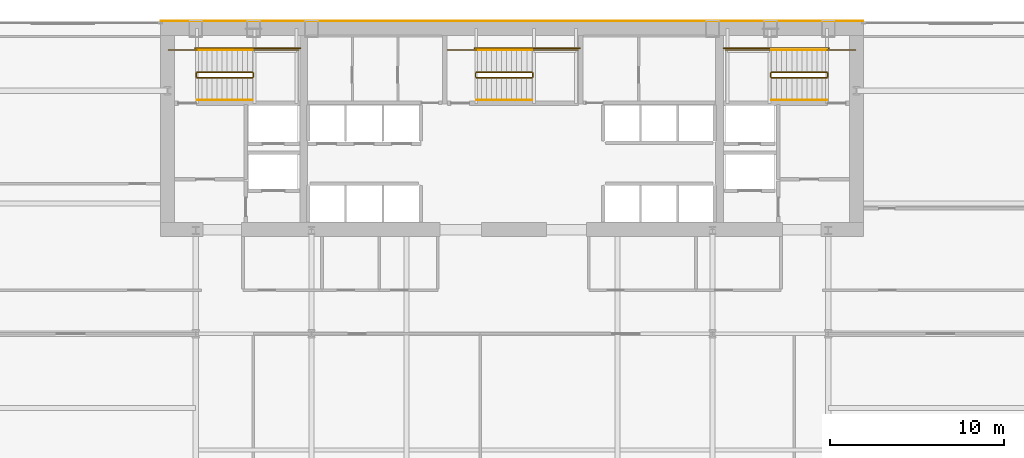
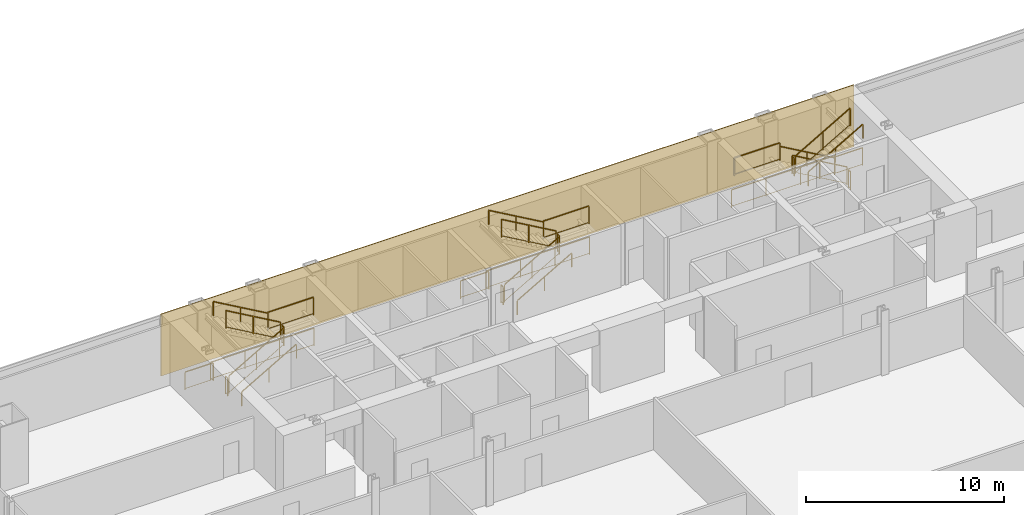
# One storey, part 36 of 36: 27 railings, 1 covering.
"""IFC4 building model written with IfcOpenShell, lengths in metres."""

from ifc_helpers import new_model, si_unit, direction, frame, origin, origin_2d, place, context, subcontext, project, spatial, polyline, rectangle, outline, extrude, material, layer, layer_set, type_object, element, save


model = new_model("IFC4")

# Units and contexts
model_context = context("Model", 3, precision=1e-05, world=origin(), true_north=direction((0.0, 1.0)))
body_context = subcontext(model_context, "Body", "Model", "MODEL_VIEW")
ifc_project = project(units=[si_unit("LENGTHUNIT", "METRE"), si_unit("AREAUNIT", "SQUARE_METRE"), si_unit("VOLUMEUNIT", "CUBIC_METRE"), si_unit("PLANEANGLEUNIT", "RADIAN"), si_unit("MASSUNIT", "GRAM", prefix="KILO")], contexts=[model_context])

# Site, building, storey
site_placement = place(None, origin())
site = spatial("IfcSite", under=ifc_project, at=site_placement, CompositionType="ELEMENT")
building_placement = place(site_placement, origin())
building = spatial("IfcBuilding", under=site, at=building_placement, Name="Khoronbel Lancet Exchange", CompositionType="ELEMENT")
storey_placement = place(building_placement, frame((0.0, 0.0, 57.800048828125)))
storey = spatial("IfcBuildingStorey", under=building, at=storey_placement, Name="L13", CompositionType="ELEMENT", Elevation=57.800048828125)

# Covering
ifc_material_1 = material(Name="Honed Egyptian Limestone & Bronze Rainscreen", Category="masonry")
ifc_layer = layer(ifc_material_1, 0.050048828125, Name="Honed Egyptian Limestone & Bronze Rainscreen")
ifc_layer_set = layer_set([ifc_layer], Name="Honed Egyptian Limestone & Bronze Rainscreen")
covering_type = type_object("IfcCoveringType", Name="COV-CLAD1", PredefinedType="CLADDING", material=ifc_layer_set)
covering_placement = place(storey_placement, origin())
element("IfcCovering", 1, at=covering_placement, inside=storey, type_object=covering_type, Name="Level L13 north rear-core stone and bronze rainscreen cladding", PredefinedType="CLADDING", context=body_context, shape_type="SweptSolid", body=[
    extrude(outline(polyline([(16.199951171875, 53.699951171875), (56.699951171875, 53.699951171875), (56.699951171875, 53.75), (16.199951171875, 53.75), (16.199951171875, 53.699951171875)])), origin(), (0.0, 0.0, 1.0), 3.820068359375),
])

# Railings
ifc_material_2 = material(Name="Painted Steel Balustrade", Category="steel")
railing_type_1 = type_object("IfcRailingType", Name="RL-STG110", PredefinedType="GUARDRAIL", material=ifc_material_2)
railing_1_placement = place(storey_placement, frame((18.300048828125, 50.449951171875, 0.16650390625)))
element("IfcRailing", 2, at=railing_1_placement, inside=storey, type_object=railing_type_1, Name="L13 ST1 stair guard 1", PredefinedType="GUARDRAIL", context=body_context, shape_type="SweptSolid", body=[
    extrude(rectangle(XDim=0.048095703125, YDim=0.048095703125, at=origin_2d()), frame((0.0, 0.0, 1.09619140625), z_axis=(0.86699087805, 0.0, 0.498324008431), x_axis=(0.0, 1.0, 0.0)), (0.0, 0.0, 1.0), 3.679443359375),
    extrude(rectangle(XDim=0.02392578125, YDim=0.02392578125, at=origin_2d()), frame((0.0, 0.0, 0.080078125), z_axis=(0.86699087805, 0.0, 0.498324008431), x_axis=(0.0, 1.0, 0.0)), (0.0, 0.0, 1.0), 3.679443359375),
    extrude(rectangle(XDim=0.0419921875, YDim=0.0419921875, at=origin_2d()), origin(), (0.0, 0.0, 1.0), 1.072021484375),
    extrude(rectangle(XDim=0.0419921875, YDim=0.0419921875, at=origin_2d()), frame((1.594970703125, 0.0, 0.916748046875)), (0.0, 0.0, 1.0), 1.072021484375),
    extrude(rectangle(XDim=0.0419921875, YDim=0.0419921875, at=origin_2d()), frame((3.18994140625, 0.0, 1.83349609375)), (0.0, 0.0, 1.0), 1.072021484375),
])
railing_2_placement = place(storey_placement, frame((21.5400390625, 50.5, 2.0)))
element("IfcRailing", 3, at=railing_2_placement, inside=storey, type_object=railing_type_1, Name="L13 ST1 stair guard 2", PredefinedType="GUARDRAIL", context=body_context, shape_type="SweptSolid", body=[
    extrude(rectangle(XDim=0.048095703125, YDim=0.048095703125, at=origin_2d()), frame((0.0, 0.0, 1.09619140625), z_axis=(0.0, 1.0, 0.0), x_axis=(-1.0, 0.0, 0.0)), (0.0, 0.0, 1.0), 0.219970703125),
    extrude(rectangle(XDim=0.02392578125, YDim=0.02392578125, at=origin_2d()), frame((0.0, 0.0, 0.080078125), z_axis=(0.0, 1.0, 0.0), x_axis=(-1.0, 0.0, 0.0)), (0.0, 0.0, 1.0), 0.219970703125),
    extrude(rectangle(XDim=0.0419921875, YDim=0.0419921875, at=origin_2d()), origin(), (0.0, 0.0, 1.0), 1.072021484375),
    extrude(rectangle(XDim=0.0419921875, YDim=0.0419921875, at=origin_2d()), frame((0.0, 0.219970703125, 0.0)), (0.0, 0.0, 1.0), 1.072021484375),
])
railing_3_placement = place(storey_placement, frame((21.489990234375, 52.050048828125, 2.0)))
element("IfcRailing", 4, at=railing_3_placement, inside=storey, type_object=railing_type_1, Name="L13 ST1 stair guard 3", PredefinedType="GUARDRAIL", context=body_context, shape_type="SweptSolid", body=[
    extrude(rectangle(XDim=0.048095703125, YDim=0.048095703125, at=origin_2d()), frame((0.0, 0.0, 1.09619140625), z_axis=(1.0, 0.0, 0.0), x_axis=(0.0, 1.0, 0.0)), (0.0, 0.0, 1.0), 2.659912109375),
    extrude(rectangle(XDim=0.02392578125, YDim=0.02392578125, at=origin_2d()), frame((0.0, 0.0, 0.080078125), z_axis=(1.0, 0.0, 0.0), x_axis=(0.0, 1.0, 0.0)), (0.0, 0.0, 1.0), 2.659912109375),
    extrude(rectangle(XDim=0.0419921875, YDim=0.0419921875, at=origin_2d()), origin(), (0.0, 0.0, 1.0), 1.072021484375),
    extrude(rectangle(XDim=0.0419921875, YDim=0.0419921875, at=origin_2d()), frame((2.659912109375, 0.0, 0.0)), (0.0, 0.0, 1.0), 1.072021484375),
])
railing_4_placement = place(storey_placement, frame((21.489990234375, 50.77001953125, 2.16650390625)))
element("IfcRailing", 5, at=railing_4_placement, inside=storey, type_object=railing_type_1, Name="L13 ST1 stair guard 4", PredefinedType="GUARDRAIL", context=body_context, shape_type="SweptSolid", body=[
    extrude(rectangle(XDim=0.048095703125, YDim=0.048095703125, at=origin_2d()), frame((0.0, 0.0, 1.09619140625), z_axis=(-0.86699087805, 0.0, 0.498324008431), x_axis=(0.0, -1.0, 0.0)), (0.0, 0.0, 1.0), 3.679443359375),
    extrude(rectangle(XDim=0.02392578125, YDim=0.02392578125, at=origin_2d()), frame((0.0, 0.0, 0.080078125), z_axis=(-0.86699087805, 0.0, 0.498324008431), x_axis=(0.0, -1.0, 0.0)), (0.0, 0.0, 1.0), 3.679443359375),
    extrude(rectangle(XDim=0.0419921875, YDim=0.0419921875, at=origin_2d()), origin(), (0.0, 0.0, 1.0), 1.072021484375),
    extrude(rectangle(XDim=0.0419921875, YDim=0.0419921875, at=origin_2d()), frame((-1.594970703125, 0.0, 0.916748046875)), (0.0, 0.0, 1.0), 1.072021484375),
    extrude(rectangle(XDim=0.0419921875, YDim=0.0419921875, at=origin_2d()), frame((-3.18994140625, 0.0, 1.83349609375)), (0.0, 0.0, 1.0), 1.072021484375),
])
railing_5_placement = place(storey_placement, frame((18.25, 50.5, 0.0)))
element("IfcRailing", 6, at=railing_5_placement, inside=storey, type_object=railing_type_1, Name="L13 ST1 stair guard 5", PredefinedType="GUARDRAIL", context=body_context, shape_type="SweptSolid", body=[
    extrude(rectangle(XDim=0.048095703125, YDim=0.048095703125, at=origin_2d()), frame((0.0, 0.0, 1.09619140625), z_axis=(0.0, 1.0, 0.0), x_axis=(-1.0, 0.0, 0.0)), (0.0, 0.0, 1.0), 0.219970703125),
    extrude(rectangle(XDim=0.02392578125, YDim=0.02392578125, at=origin_2d()), frame((0.0, 0.0, 0.080078125), z_axis=(0.0, 1.0, 0.0), x_axis=(-1.0, 0.0, 0.0)), (0.0, 0.0, 1.0), 0.219970703125),
    extrude(rectangle(XDim=0.0419921875, YDim=0.0419921875, at=origin_2d()), origin(), (0.0, 0.0, 1.0), 1.072021484375),
    extrude(rectangle(XDim=0.0419921875, YDim=0.0419921875, at=origin_2d()), frame((0.0, 0.219970703125, 0.0)), (0.0, 0.0, 1.0), 1.072021484375),
])
railing_6_placement = place(storey_placement, frame((16.64990234375, 52.050048828125, 0.0)))
element("IfcRailing", 7, at=railing_6_placement, inside=storey, type_object=railing_type_1, Name="L13 ST1 stair guard 6", PredefinedType="GUARDRAIL", context=body_context, shape_type="SweptSolid", body=[
    extrude(rectangle(XDim=0.048095703125, YDim=0.048095703125, at=origin_2d()), frame((0.0, 0.0, 1.09619140625), z_axis=(1.0, 0.0, 0.0), x_axis=(0.0, 1.0, 0.0)), (0.0, 0.0, 1.0), 1.650146484375),
    extrude(rectangle(XDim=0.02392578125, YDim=0.02392578125, at=origin_2d()), frame((0.0, 0.0, 0.080078125), z_axis=(1.0, 0.0, 0.0), x_axis=(0.0, 1.0, 0.0)), (0.0, 0.0, 1.0), 1.650146484375),
    extrude(rectangle(XDim=0.0419921875, YDim=0.0419921875, at=origin_2d()), origin(), (0.0, 0.0, 1.0), 1.072021484375),
    extrude(rectangle(XDim=0.0419921875, YDim=0.0419921875, at=origin_2d()), frame((1.650146484375, 0.0, 0.0)), (0.0, 0.0, 1.0), 1.072021484375),
])
railing_7_placement = place(storey_placement, frame((18.199951171875, 52.14990234375, 0.0)))
element("IfcRailing", 8, at=railing_7_placement, inside=storey, type_object=railing_type_1, Name="L13 ST1 stair guard 7", PredefinedType="GUARDRAIL", context=body_context, shape_type="SweptSolid", body=[
    extrude(rectangle(XDim=0.048095703125, YDim=0.048095703125, at=origin_2d()), frame((0.0, 0.0, 1.09619140625), z_axis=(1.0, 0.0, 0.0), x_axis=(0.0, 1.0, 0.0)), (0.0, 0.0, 1.0), 6.050048828125),
    extrude(rectangle(XDim=0.02392578125, YDim=0.02392578125, at=origin_2d()), frame((0.0, 0.0, 0.080078125), z_axis=(1.0, 0.0, 0.0), x_axis=(0.0, 1.0, 0.0)), (0.0, 0.0, 1.0), 6.050048828125),
    extrude(rectangle(XDim=0.0419921875, YDim=0.0419921875, at=origin_2d()), origin(), (0.0, 0.0, 1.0), 1.072021484375),
    extrude(rectangle(XDim=0.0419921875, YDim=0.0419921875, at=origin_2d()), frame((2.0166015625, 0.0, 0.0)), (0.0, 0.0, 1.0), 1.072021484375),
    extrude(rectangle(XDim=0.0419921875, YDim=0.0419921875, at=origin_2d()), frame((4.033447265625, 0.0, 0.0)), (0.0, 0.0, 1.0), 1.072021484375),
    extrude(rectangle(XDim=0.0419921875, YDim=0.0419921875, at=origin_2d()), frame((6.050048828125, 0.0, 0.0)), (0.0, 0.0, 1.0), 1.072021484375),
])
railing_8_placement = place(storey_placement, frame((54.60009765625, 50.77001953125, 0.16650390625)))
element("IfcRailing", 9, at=railing_8_placement, inside=storey, type_object=railing_type_1, Name="L13 ST2 stair guard 1", PredefinedType="GUARDRAIL", context=body_context, shape_type="SweptSolid", body=[
    extrude(rectangle(XDim=0.048095703125, YDim=0.048095703125, at=origin_2d()), frame((0.0, 0.0, 1.09619140625), z_axis=(-0.867007354286, 0.0, 0.498295341753), x_axis=(0.0, -1.0, 0.0)), (0.0, 0.0, 1.0), 3.679443359375),
    extrude(rectangle(XDim=0.02392578125, YDim=0.02392578125, at=origin_2d()), frame((0.0, 0.0, 0.080078125), z_axis=(-0.867007354286, 0.0, 0.498295341753), x_axis=(0.0, -1.0, 0.0)), (0.0, 0.0, 1.0), 3.679443359375),
    extrude(rectangle(XDim=0.0419921875, YDim=0.0419921875, at=origin_2d()), origin(), (0.0, 0.0, 1.0), 1.072021484375),
    extrude(rectangle(XDim=0.0419921875, YDim=0.0419921875, at=origin_2d()), frame((-1.59521484375, 0.0, 0.916748046875)), (0.0, 0.0, 1.0), 1.072021484375),
    extrude(rectangle(XDim=0.0419921875, YDim=0.0419921875, at=origin_2d()), frame((-3.190185546875, 0.0, 1.83349609375)), (0.0, 0.0, 1.0), 1.072021484375),
])
railing_9_placement = place(storey_placement, frame((51.360107421875, 50.719970703125, 2.0)))
element("IfcRailing", 10, at=railing_9_placement, inside=storey, type_object=railing_type_1, Name="L13 ST2 stair guard 2", PredefinedType="GUARDRAIL", context=body_context, shape_type="SweptSolid", body=[
    extrude(rectangle(XDim=0.048095703125, YDim=0.048095703125, at=origin_2d()), frame((0.0, 0.0, 1.09619140625), z_axis=(0.0, -1.0, 0.0), x_axis=(1.0, 0.0, 0.0)), (0.0, 0.0, 1.0), 0.219970703125),
    extrude(rectangle(XDim=0.02392578125, YDim=0.02392578125, at=origin_2d()), frame((0.0, 0.0, 0.080078125), z_axis=(0.0, -1.0, 0.0), x_axis=(1.0, 0.0, 0.0)), (0.0, 0.0, 1.0), 0.219970703125),
    extrude(rectangle(XDim=0.0419921875, YDim=0.0419921875, at=origin_2d()), origin(), (0.0, 0.0, 1.0), 1.072021484375),
    extrude(rectangle(XDim=0.0419921875, YDim=0.0419921875, at=origin_2d()), frame((0.0, -0.219970703125, 0.0)), (0.0, 0.0, 1.0), 1.072021484375),
])
railing_10_placement = place(storey_placement, frame((51.409912109375, 52.050048828125, 2.0)))
element("IfcRailing", 11, at=railing_10_placement, inside=storey, type_object=railing_type_1, Name="L13 ST2 stair guard 3", PredefinedType="GUARDRAIL", context=body_context, shape_type="SweptSolid", body=[
    extrude(rectangle(XDim=0.048095703125, YDim=0.048095703125, at=origin_2d()), frame((0.0, 0.0, 1.09619140625), z_axis=(-1.0, 0.0, 0.0), x_axis=(0.0, -1.0, 0.0)), (0.0, 0.0, 1.0), 2.659912109375),
    extrude(rectangle(XDim=0.02392578125, YDim=0.02392578125, at=origin_2d()), frame((0.0, 0.0, 0.080078125), z_axis=(-1.0, 0.0, 0.0), x_axis=(0.0, -1.0, 0.0)), (0.0, 0.0, 1.0), 2.659912109375),
    extrude(rectangle(XDim=0.0419921875, YDim=0.0419921875, at=origin_2d()), origin(), (0.0, 0.0, 1.0), 1.072021484375),
    extrude(rectangle(XDim=0.0419921875, YDim=0.0419921875, at=origin_2d()), frame((-2.659912109375, 0.0, 0.0)), (0.0, 0.0, 1.0), 1.072021484375),
])
railing_11_placement = place(storey_placement, frame((51.409912109375, 50.449951171875, 2.16650390625)))
element("IfcRailing", 12, at=railing_11_placement, inside=storey, type_object=railing_type_1, Name="L13 ST2 stair guard 4", PredefinedType="GUARDRAIL", context=body_context, shape_type="SweptSolid", body=[
    extrude(rectangle(XDim=0.048095703125, YDim=0.048095703125, at=origin_2d()), frame((0.0, 0.0, 1.09619140625), z_axis=(0.867007354286, 0.0, 0.498295341753), x_axis=(0.0, 1.0, 0.0)), (0.0, 0.0, 1.0), 3.679443359375),
    extrude(rectangle(XDim=0.02392578125, YDim=0.02392578125, at=origin_2d()), frame((0.0, 0.0, 0.080078125), z_axis=(0.867007354286, 0.0, 0.498295341753), x_axis=(0.0, 1.0, 0.0)), (0.0, 0.0, 1.0), 3.679443359375),
    extrude(rectangle(XDim=0.0419921875, YDim=0.0419921875, at=origin_2d()), origin(), (0.0, 0.0, 1.0), 1.072021484375),
    extrude(rectangle(XDim=0.0419921875, YDim=0.0419921875, at=origin_2d()), frame((1.59521484375, 0.0, 0.916748046875)), (0.0, 0.0, 1.0), 1.072021484375),
    extrude(rectangle(XDim=0.0419921875, YDim=0.0419921875, at=origin_2d()), frame((3.190185546875, 0.0, 1.83349609375)), (0.0, 0.0, 1.0), 1.072021484375),
])
railing_12_placement = place(storey_placement, frame((54.64990234375, 50.719970703125, 0.0)))
element("IfcRailing", 13, at=railing_12_placement, inside=storey, type_object=railing_type_1, Name="L13 ST2 stair guard 5", PredefinedType="GUARDRAIL", context=body_context, shape_type="SweptSolid", body=[
    extrude(rectangle(XDim=0.048095703125, YDim=0.048095703125, at=origin_2d()), frame((0.0, 0.0, 1.09619140625), z_axis=(0.0, -1.0, 0.0), x_axis=(1.0, 0.0, 0.0)), (0.0, 0.0, 1.0), 0.219970703125),
    extrude(rectangle(XDim=0.02392578125, YDim=0.02392578125, at=origin_2d()), frame((0.0, 0.0, 0.080078125), z_axis=(0.0, -1.0, 0.0), x_axis=(1.0, 0.0, 0.0)), (0.0, 0.0, 1.0), 0.219970703125),
    extrude(rectangle(XDim=0.0419921875, YDim=0.0419921875, at=origin_2d()), origin(), (0.0, 0.0, 1.0), 1.072021484375),
    extrude(rectangle(XDim=0.0419921875, YDim=0.0419921875, at=origin_2d()), frame((0.0, -0.219970703125, 0.0)), (0.0, 0.0, 1.0), 1.072021484375),
])
railing_13_placement = place(storey_placement, frame((56.25, 52.050048828125, 0.0)))
element("IfcRailing", 14, at=railing_13_placement, inside=storey, type_object=railing_type_1, Name="L13 ST2 stair guard 6", PredefinedType="GUARDRAIL", context=body_context, shape_type="SweptSolid", body=[
    extrude(rectangle(XDim=0.048095703125, YDim=0.048095703125, at=origin_2d()), frame((0.0, 0.0, 1.09619140625), z_axis=(-1.0, 0.0, 0.0), x_axis=(0.0, -1.0, 0.0)), (0.0, 0.0, 1.0), 1.64990234375),
    extrude(rectangle(XDim=0.02392578125, YDim=0.02392578125, at=origin_2d()), frame((0.0, 0.0, 0.080078125), z_axis=(-1.0, 0.0, 0.0), x_axis=(0.0, -1.0, 0.0)), (0.0, 0.0, 1.0), 1.64990234375),
    extrude(rectangle(XDim=0.0419921875, YDim=0.0419921875, at=origin_2d()), origin(), (0.0, 0.0, 1.0), 1.072021484375),
    extrude(rectangle(XDim=0.0419921875, YDim=0.0419921875, at=origin_2d()), frame((-1.64990234375, 0.0, 0.0)), (0.0, 0.0, 1.0), 1.072021484375),
])
railing_14_placement = place(storey_placement, frame((54.699951171875, 52.14990234375, 0.0)))
element("IfcRailing", 15, at=railing_14_placement, inside=storey, type_object=railing_type_1, Name="L13 ST2 stair guard 7", PredefinedType="GUARDRAIL", context=body_context, shape_type="SweptSolid", body=[
    extrude(rectangle(XDim=0.048095703125, YDim=0.048095703125, at=origin_2d()), frame((0.0, 0.0, 1.09619140625), z_axis=(-1.0, 0.0, 0.0), x_axis=(0.0, -1.0, 0.0)), (0.0, 0.0, 1.0), 6.050048828125),
    extrude(rectangle(XDim=0.02392578125, YDim=0.02392578125, at=origin_2d()), frame((0.0, 0.0, 0.080078125), z_axis=(-1.0, 0.0, 0.0), x_axis=(0.0, -1.0, 0.0)), (0.0, 0.0, 1.0), 6.050048828125),
    extrude(rectangle(XDim=0.0419921875, YDim=0.0419921875, at=origin_2d()), origin(), (0.0, 0.0, 1.0), 1.072021484375),
    extrude(rectangle(XDim=0.0419921875, YDim=0.0419921875, at=origin_2d()), frame((-2.0166015625, 0.0, 0.0)), (0.0, 0.0, 1.0), 1.072021484375),
    extrude(rectangle(XDim=0.0419921875, YDim=0.0419921875, at=origin_2d()), frame((-4.033447265625, 0.0, 0.0)), (0.0, 0.0, 1.0), 1.072021484375),
    extrude(rectangle(XDim=0.0419921875, YDim=0.0419921875, at=origin_2d()), frame((-6.050048828125, 0.0, 0.0)), (0.0, 0.0, 1.0), 1.072021484375),
])
railing_15_placement = place(storey_placement, frame((34.39990234375, 50.449951171875, 0.16650390625)))
element("IfcRailing", 16, at=railing_15_placement, inside=storey, type_object=railing_type_1, Name="L13 ST3 stair guard 1", PredefinedType="GUARDRAIL", context=body_context, shape_type="SweptSolid", body=[
    extrude(rectangle(XDim=0.048095703125, YDim=0.048095703125, at=origin_2d()), frame((0.0, 0.0, 1.09619140625), z_axis=(0.867007354286, 0.0, 0.498295341753), x_axis=(0.0, 1.0, 0.0)), (0.0, 0.0, 1.0), 3.679443359375),
    extrude(rectangle(XDim=0.02392578125, YDim=0.02392578125, at=origin_2d()), frame((0.0, 0.0, 0.080078125), z_axis=(0.867007354286, 0.0, 0.498295341753), x_axis=(0.0, 1.0, 0.0)), (0.0, 0.0, 1.0), 3.679443359375),
    extrude(rectangle(XDim=0.0419921875, YDim=0.0419921875, at=origin_2d()), origin(), (0.0, 0.0, 1.0), 1.072021484375),
    extrude(rectangle(XDim=0.0419921875, YDim=0.0419921875, at=origin_2d()), frame((1.59521484375, 0.0, 0.916748046875)), (0.0, 0.0, 1.0), 1.072021484375),
    extrude(rectangle(XDim=0.0419921875, YDim=0.0419921875, at=origin_2d()), frame((3.190185546875, 0.0, 1.83349609375)), (0.0, 0.0, 1.0), 1.072021484375),
])
railing_16_placement = place(storey_placement, frame((37.639892578125, 50.5, 2.0)))
element("IfcRailing", 17, at=railing_16_placement, inside=storey, type_object=railing_type_1, Name="L13 ST3 stair guard 2", PredefinedType="GUARDRAIL", context=body_context, shape_type="SweptSolid", body=[
    extrude(rectangle(XDim=0.048095703125, YDim=0.048095703125, at=origin_2d()), frame((0.0, 0.0, 1.09619140625), z_axis=(0.0, 1.0, 0.0), x_axis=(-1.0, 0.0, 0.0)), (0.0, 0.0, 1.0), 0.219970703125),
    extrude(rectangle(XDim=0.02392578125, YDim=0.02392578125, at=origin_2d()), frame((0.0, 0.0, 0.080078125), z_axis=(0.0, 1.0, 0.0), x_axis=(-1.0, 0.0, 0.0)), (0.0, 0.0, 1.0), 0.219970703125),
    extrude(rectangle(XDim=0.0419921875, YDim=0.0419921875, at=origin_2d()), origin(), (0.0, 0.0, 1.0), 1.072021484375),
    extrude(rectangle(XDim=0.0419921875, YDim=0.0419921875, at=origin_2d()), frame((0.0, 0.219970703125, 0.0)), (0.0, 0.0, 1.0), 1.072021484375),
])
railing_17_placement = place(storey_placement, frame((37.590087890625, 52.050048828125, 2.0)))
element("IfcRailing", 18, at=railing_17_placement, inside=storey, type_object=railing_type_1, Name="L13 ST3 stair guard 3", PredefinedType="GUARDRAIL", context=body_context, shape_type="SweptSolid", body=[
    extrude(rectangle(XDim=0.048095703125, YDim=0.048095703125, at=origin_2d()), frame((0.0, 0.0, 1.09619140625), z_axis=(1.0, 0.0, 0.0), x_axis=(0.0, 1.0, 0.0)), (0.0, 0.0, 1.0), 2.659912109375),
    extrude(rectangle(XDim=0.02392578125, YDim=0.02392578125, at=origin_2d()), frame((0.0, 0.0, 0.080078125), z_axis=(1.0, 0.0, 0.0), x_axis=(0.0, 1.0, 0.0)), (0.0, 0.0, 1.0), 2.659912109375),
    extrude(rectangle(XDim=0.0419921875, YDim=0.0419921875, at=origin_2d()), origin(), (0.0, 0.0, 1.0), 1.072021484375),
    extrude(rectangle(XDim=0.0419921875, YDim=0.0419921875, at=origin_2d()), frame((2.659912109375, 0.0, 0.0)), (0.0, 0.0, 1.0), 1.072021484375),
])
railing_18_placement = place(storey_placement, frame((37.590087890625, 50.77001953125, 2.16650390625)))
element("IfcRailing", 19, at=railing_18_placement, inside=storey, type_object=railing_type_1, Name="L13 ST3 stair guard 4", PredefinedType="GUARDRAIL", context=body_context, shape_type="SweptSolid", body=[
    extrude(rectangle(XDim=0.048095703125, YDim=0.048095703125, at=origin_2d()), frame((0.0, 0.0, 1.09619140625), z_axis=(-0.867007354286, 0.0, 0.498295341753), x_axis=(0.0, -1.0, 0.0)), (0.0, 0.0, 1.0), 3.679443359375),
    extrude(rectangle(XDim=0.02392578125, YDim=0.02392578125, at=origin_2d()), frame((0.0, 0.0, 0.080078125), z_axis=(-0.867007354286, 0.0, 0.498295341753), x_axis=(0.0, -1.0, 0.0)), (0.0, 0.0, 1.0), 3.679443359375),
    extrude(rectangle(XDim=0.0419921875, YDim=0.0419921875, at=origin_2d()), origin(), (0.0, 0.0, 1.0), 1.072021484375),
    extrude(rectangle(XDim=0.0419921875, YDim=0.0419921875, at=origin_2d()), frame((-1.59521484375, 0.0, 0.916748046875)), (0.0, 0.0, 1.0), 1.072021484375),
    extrude(rectangle(XDim=0.0419921875, YDim=0.0419921875, at=origin_2d()), frame((-3.190185546875, 0.0, 1.83349609375)), (0.0, 0.0, 1.0), 1.072021484375),
])
railing_19_placement = place(storey_placement, frame((34.35009765625, 50.5, 0.0)))
element("IfcRailing", 20, at=railing_19_placement, inside=storey, type_object=railing_type_1, Name="L13 ST3 stair guard 5", PredefinedType="GUARDRAIL", context=body_context, shape_type="SweptSolid", body=[
    extrude(rectangle(XDim=0.048095703125, YDim=0.048095703125, at=origin_2d()), frame((0.0, 0.0, 1.09619140625), z_axis=(0.0, 1.0, 0.0), x_axis=(-1.0, 0.0, 0.0)), (0.0, 0.0, 1.0), 0.219970703125),
    extrude(rectangle(XDim=0.02392578125, YDim=0.02392578125, at=origin_2d()), frame((0.0, 0.0, 0.080078125), z_axis=(0.0, 1.0, 0.0), x_axis=(-1.0, 0.0, 0.0)), (0.0, 0.0, 1.0), 0.219970703125),
    extrude(rectangle(XDim=0.0419921875, YDim=0.0419921875, at=origin_2d()), origin(), (0.0, 0.0, 1.0), 1.072021484375),
    extrude(rectangle(XDim=0.0419921875, YDim=0.0419921875, at=origin_2d()), frame((0.0, 0.219970703125, 0.0)), (0.0, 0.0, 1.0), 1.072021484375),
])
railing_20_placement = place(storey_placement, frame((32.75, 52.050048828125, 0.0)))
element("IfcRailing", 21, at=railing_20_placement, inside=storey, type_object=railing_type_1, Name="L13 ST3 stair guard 6", PredefinedType="GUARDRAIL", context=body_context, shape_type="SweptSolid", body=[
    extrude(rectangle(XDim=0.048095703125, YDim=0.048095703125, at=origin_2d()), frame((0.0, 0.0, 1.09619140625), z_axis=(1.0, 0.0, 0.0), x_axis=(0.0, 1.0, 0.0)), (0.0, 0.0, 1.0), 1.64990234375),
    extrude(rectangle(XDim=0.02392578125, YDim=0.02392578125, at=origin_2d()), frame((0.0, 0.0, 0.080078125), z_axis=(1.0, 0.0, 0.0), x_axis=(0.0, 1.0, 0.0)), (0.0, 0.0, 1.0), 1.64990234375),
    extrude(rectangle(XDim=0.0419921875, YDim=0.0419921875, at=origin_2d()), origin(), (0.0, 0.0, 1.0), 1.072021484375),
    extrude(rectangle(XDim=0.0419921875, YDim=0.0419921875, at=origin_2d()), frame((1.64990234375, 0.0, 0.0)), (0.0, 0.0, 1.0), 1.072021484375),
])
railing_21_placement = place(storey_placement, frame((34.300048828125, 52.14990234375, 0.0)))
element("IfcRailing", 22, at=railing_21_placement, inside=storey, type_object=railing_type_1, Name="L13 ST3 stair guard 7", PredefinedType="GUARDRAIL", context=body_context, shape_type="SweptSolid", body=[
    extrude(rectangle(XDim=0.048095703125, YDim=0.048095703125, at=origin_2d()), frame((0.0, 0.0, 1.09619140625), z_axis=(1.0, 0.0, 0.0), x_axis=(0.0, 1.0, 0.0)), (0.0, 0.0, 1.0), 6.050048828125),
    extrude(rectangle(XDim=0.02392578125, YDim=0.02392578125, at=origin_2d()), frame((0.0, 0.0, 0.080078125), z_axis=(1.0, 0.0, 0.0), x_axis=(0.0, 1.0, 0.0)), (0.0, 0.0, 1.0), 6.050048828125),
    extrude(rectangle(XDim=0.0419921875, YDim=0.0419921875, at=origin_2d()), origin(), (0.0, 0.0, 1.0), 1.072021484375),
    extrude(rectangle(XDim=0.0419921875, YDim=0.0419921875, at=origin_2d()), frame((2.0166015625, 0.0, 0.0)), (0.0, 0.0, 1.0), 1.072021484375),
    extrude(rectangle(XDim=0.0419921875, YDim=0.0419921875, at=origin_2d()), frame((4.033447265625, 0.0, 0.0)), (0.0, 0.0, 1.0), 1.072021484375),
    extrude(rectangle(XDim=0.0419921875, YDim=0.0419921875, at=origin_2d()), frame((6.050048828125, 0.0, 0.0)), (0.0, 0.0, 1.0), 1.072021484375),
])
ifc_material_3 = material(Name="Brushed Stainless Steel 316", Category="steel")
railing_type_2 = type_object("IfcRailingType", Name="RL-STH92", PredefinedType="HANDRAIL", material=ifc_material_3)
railing_22_placement = place(storey_placement, frame((18.300048828125, 49.169921875, 0.16650390625)))
element("IfcRailing", 23, at=railing_22_placement, inside=storey, type_object=railing_type_2, Name="L13 ST1 stair handrail 1", PredefinedType="HANDRAIL", context=body_context, shape_type="SweptSolid", body=[
    extrude(rectangle(XDim=0.048095703125, YDim=0.048095703125, at=origin_2d()), frame((0.0, 0.0, 0.8759765625), z_axis=(0.86699087805, 0.0, 0.498324008431), x_axis=(0.0, 1.0, 0.0)), (0.0, 0.0, 1.0), 3.679443359375),
    extrude(rectangle(XDim=0.0419921875, YDim=0.0419921875, at=origin_2d()), origin(), (0.0, 0.0, 1.0), 0.851806640625),
    extrude(rectangle(XDim=0.0419921875, YDim=0.0419921875, at=origin_2d()), frame((1.594970703125, 0.0, 0.916748046875)), (0.0, 0.0, 1.0), 0.851806640625),
    extrude(rectangle(XDim=0.0419921875, YDim=0.0419921875, at=origin_2d()), frame((3.18994140625, 0.0, 1.83349609375)), (0.0, 0.0, 1.0), 0.851806640625),
])
railing_23_placement = place(storey_placement, frame((21.489990234375, 52.050048828125, 2.16650390625)))
element("IfcRailing", 24, at=railing_23_placement, inside=storey, type_object=railing_type_2, Name="L13 ST1 stair handrail 2", PredefinedType="HANDRAIL", context=body_context, shape_type="SweptSolid", body=[
    extrude(rectangle(XDim=0.048095703125, YDim=0.048095703125, at=origin_2d()), frame((0.0, 0.0, 0.8759765625), z_axis=(-0.86699087805, 0.0, 0.498324008431), x_axis=(0.0, -1.0, 0.0)), (0.0, 0.0, 1.0), 3.679443359375),
    extrude(rectangle(XDim=0.0419921875, YDim=0.0419921875, at=origin_2d()), origin(), (0.0, 0.0, 1.0), 0.851806640625),
    extrude(rectangle(XDim=0.0419921875, YDim=0.0419921875, at=origin_2d()), frame((-1.594970703125, 0.0, 0.916748046875)), (0.0, 0.0, 1.0), 0.851806640625),
    extrude(rectangle(XDim=0.0419921875, YDim=0.0419921875, at=origin_2d()), frame((-3.18994140625, 0.0, 1.83349609375)), (0.0, 0.0, 1.0), 0.851806640625),
])
railing_24_placement = place(storey_placement, frame((54.60009765625, 52.050048828125, 0.16650390625)))
element("IfcRailing", 25, at=railing_24_placement, inside=storey, type_object=railing_type_2, Name="L13 ST2 stair handrail 1", PredefinedType="HANDRAIL", context=body_context, shape_type="SweptSolid", body=[
    extrude(rectangle(XDim=0.048095703125, YDim=0.048095703125, at=origin_2d()), frame((0.0, 0.0, 0.8759765625), z_axis=(-0.867007354286, 0.0, 0.498295341753), x_axis=(0.0, -1.0, 0.0)), (0.0, 0.0, 1.0), 3.679443359375),
    extrude(rectangle(XDim=0.0419921875, YDim=0.0419921875, at=origin_2d()), origin(), (0.0, 0.0, 1.0), 0.851806640625),
    extrude(rectangle(XDim=0.0419921875, YDim=0.0419921875, at=origin_2d()), frame((-1.59521484375, 0.0, 0.916748046875)), (0.0, 0.0, 1.0), 0.851806640625),
    extrude(rectangle(XDim=0.0419921875, YDim=0.0419921875, at=origin_2d()), frame((-3.190185546875, 0.0, 1.83349609375)), (0.0, 0.0, 1.0), 0.851806640625),
])
for number, where, name in (
    (26, (51.409912109375, 49.169921875, 2.16650390625), "L13 ST2 stair handrail 2"),
    (27, (34.39990234375, 49.169921875, 0.16650390625), "L13 ST3 stair handrail 1"),
):
    element("IfcRailing", number, at=place(storey_placement, frame(where)), inside=storey, type_object=railing_type_2, Name=name, PredefinedType="HANDRAIL", context=body_context, shape_type="SweptSolid", body=[
        extrude(rectangle(XDim=0.048095703125, YDim=0.048095703125, at=origin_2d()), frame((0.0, 0.0, 0.8759765625), z_axis=(0.867007354286, 0.0, 0.498295341753), x_axis=(0.0, 1.0, 0.0)), (0.0, 0.0, 1.0), 3.679443359375),
        extrude(rectangle(XDim=0.0419921875, YDim=0.0419921875, at=origin_2d()), origin(), (0.0, 0.0, 1.0), 0.851806640625),
        extrude(rectangle(XDim=0.0419921875, YDim=0.0419921875, at=origin_2d()), frame((1.59521484375, 0.0, 0.916748046875)), (0.0, 0.0, 1.0), 0.851806640625),
        extrude(rectangle(XDim=0.0419921875, YDim=0.0419921875, at=origin_2d()), frame((3.190185546875, 0.0, 1.83349609375)), (0.0, 0.0, 1.0), 0.851806640625),
    ])
railing_25_placement = place(storey_placement, frame((37.590087890625, 52.050048828125, 2.16650390625)))
element("IfcRailing", 28, at=railing_25_placement, inside=storey, type_object=railing_type_2, Name="L13 ST3 stair handrail 2", PredefinedType="HANDRAIL", context=body_context, shape_type="SweptSolid", body=[
    extrude(rectangle(XDim=0.048095703125, YDim=0.048095703125, at=origin_2d()), frame((0.0, 0.0, 0.8759765625), z_axis=(-0.867007354286, 0.0, 0.498295341753), x_axis=(0.0, -1.0, 0.0)), (0.0, 0.0, 1.0), 3.679443359375),
    extrude(rectangle(XDim=0.0419921875, YDim=0.0419921875, at=origin_2d()), origin(), (0.0, 0.0, 1.0), 0.851806640625),
    extrude(rectangle(XDim=0.0419921875, YDim=0.0419921875, at=origin_2d()), frame((-1.59521484375, 0.0, 0.916748046875)), (0.0, 0.0, 1.0), 0.851806640625),
    extrude(rectangle(XDim=0.0419921875, YDim=0.0419921875, at=origin_2d()), frame((-3.190185546875, 0.0, 1.83349609375)), (0.0, 0.0, 1.0), 0.851806640625),
])

save(model, "model.ifc")
